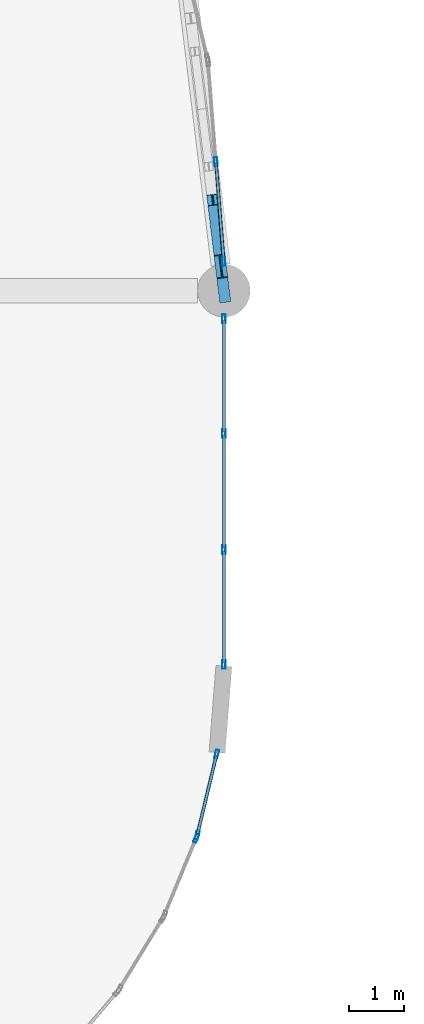
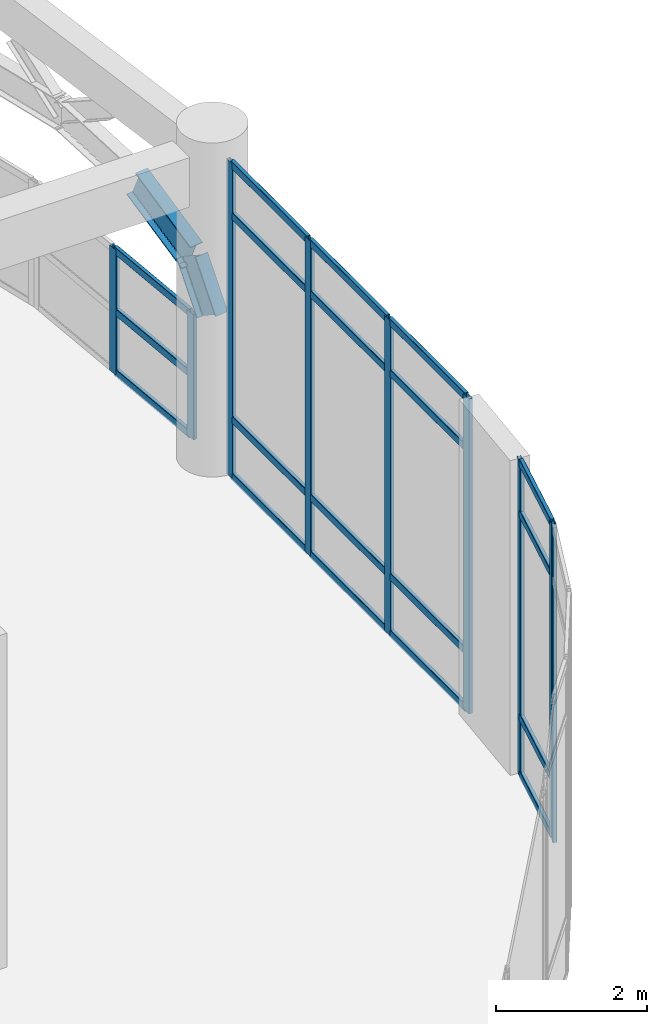
# One storey, part 73 of 114: 28 members, 2 beams, 4 elements without a shape of their own.
"""IFC4 building model written with IfcOpenShell, lengths in metres."""

from ifc_helpers import new_model, si_unit, derived_unit, direction, frame, origin, origin_2d, place, context, subcontext, project, spatial, hollow_rectangle, i_section, extrude, material, layer, layer_set, material_profile, profile_set, type_object, element, aggregate, save


model = new_model("IFC4")

# Units and contexts
model_context = context("Model", 3, precision=1e-05, world=origin(), true_north=direction((0.0, 1.0)))
body_context = subcontext(model_context, "Body", "Model", "MODEL_VIEW")
ifc_project = project(units=[si_unit("LENGTHUNIT", "METRE"), si_unit("AREAUNIT", "SQUARE_METRE"), si_unit("VOLUMEUNIT", "CUBIC_METRE"), si_unit("PLANEANGLEUNIT", "RADIAN"), si_unit("MASSUNIT", "GRAM", prefix="KILO"), derived_unit("THERMALTRANSMITTANCEUNIT", [(si_unit("MASSUNIT", "GRAM", prefix="KILO"), 1), (si_unit("TIMEUNIT", "SECOND"), -3), (si_unit("THERMODYNAMICTEMPERATUREUNIT", "KELVIN"), -1)])], contexts=[model_context])

# Site, building, storey
site_placement = place(None, origin())
site = spatial("IfcSite", under=ifc_project, at=site_placement, CompositionType="ELEMENT")
building_placement = place(site_placement, origin())
building = spatial("IfcBuilding", under=site, at=building_placement, Name="Qinzheling Arcade Emporium", CompositionType="ELEMENT")
storey_placement = place(building_placement, frame((0.0, 0.0, 6.0)))
storey = spatial("IfcBuildingStorey", under=building, at=storey_placement, Name="L02", CompositionType="ELEMENT", Elevation=6.0)

# Beams
ifc_material_1 = material(Name="Weathering steel Q355NH", Category="steel")
ifc_material_profile_1 = material_profile(ifc_material_1, i_section(OverallWidth=0.199951171875, OverallDepth=0.5, WebThickness=0.010009765625, FlangeThickness=0.01611328125, FilletRadius=0.01806640625, at=origin_2d()), Name="HN 500x200x10x16", Category="steel")
ifc_profile_set_1 = profile_set([ifc_material_profile_1], Name="Weathering steel Q355NH")
beam_type = type_object("IfcBeamType", Name="Arcade End Arch Rib HN500 Q355NH", PredefinedType="BEAM", material=ifc_profile_set_1)
beam_1_placement = place(storey_placement, frame((147.89990234375, 90.60009765625, 2.2900390625), z_axis=(-0.064298726931, 0.525445705147, 0.84839406213), x_axis=(-0.992595857829, -0.121463834208, 0.0)))
element("IfcBeam", 1, at=beam_1_placement, inside=storey, type_object=beam_type, Name="Curved Arcade Entrance Arch ARC-L02-CV6-B01-C01", PredefinedType="BEAM", context=body_context, shape_type="SweptSolid", body=[
    extrude(i_section(OverallWidth=0.199951171875, OverallDepth=0.5, WebThickness=0.010009765625, FlangeThickness=0.01611328125, FilletRadius=0.01806640625, at=origin_2d()), origin(), (0.0, 0.0, 1.0), 0.839111328125),
])
beam_2_placement = place(storey_placement, frame((147.845947265625, 91.041015625, 3.001953125), z_axis=(-0.11056405526, 0.911876121308, 0.395294231013), x_axis=(-0.992729409614, -0.120367434499, 0.0)))
element("IfcBeam", 2, at=beam_2_placement, inside=storey, type_object=beam_type, Name="Curved Arcade Entrance Arch ARC-L02-CV6-B01-C02", PredefinedType="BEAM", context=body_context, shape_type="SweptSolid", body=[
    extrude(i_section(OverallWidth=0.199951171875, OverallDepth=0.5, WebThickness=0.010009765625, FlangeThickness=0.01611328125, FilletRadius=0.01806640625, at=origin_2d()), origin(), (0.0, 0.0, 1.0), 1.320556640625),
])

# Curtain wall, members
ifc_material_2 = material(Name="Anodised aluminium and solar-control double glazing", Category="aluminium")
ifc_layer_1 = layer(ifc_material_2, 0.159912109375, Name="Anodised aluminium and solar-control double glazing", Category="aluminium")
ifc_layer_set_1 = layer_set([ifc_layer_1], Name="Anodised aluminium and solar-control double glazing")
curtain_wall_type_1 = type_object("IfcCurtainWallType", Name="Curved Ribbon Sales Curtain Wall", PredefinedType="NOTDEFINED", material=ifc_layer_set_1)
curtain_wall_1_placement = place(storey_placement, origin())
curtain_wall_1 = element("IfcCurtainWall", 3, at=curtain_wall_1_placement, inside=storey, type_object=curtain_wall_type_1, Name="Curtain Wall CW-L02-112", PredefinedType="NOTDEFINED")
ifc_material_3 = material(Name="Anodised aluminium 6063-T6", Category="aluminium")
ifc_material_profile_2 = material_profile(ifc_material_3, hollow_rectangle(XDim=0.06005859375, YDim=0.159912109375, WallThickness=0.00390625, InnerFilletRadius=0.00390625, OuterFilletRadius=0.008056640625, at=origin_2d()), Name="RHS 160x60x4", Category="aluminium")
ifc_profile_set_2 = profile_set([ifc_material_profile_2], Name="Anodised aluminium 6063-T6")
member_type_1 = type_object("IfcMemberType", Name="Curtain Wall Mullion RHS160x60", PredefinedType="MULLION", material=ifc_profile_set_2)
member_1_placement = place(storey_placement, frame((147.755615234375, 92.93798828125, 0.0), z_axis=(0.0, 0.0, 1.0), x_axis=(0.996923852542, 0.078376222365, 0.0)))
member_1 = element("IfcMember", 4, at=member_1_placement, type_object=member_type_1, Name="CW02 mullion 2", PredefinedType="MULLION", context=body_context, shape_type="SweptSolid", body=[
    extrude(hollow_rectangle(XDim=0.06005859375, YDim=0.159912109375, WallThickness=0.00390625, InnerFilletRadius=0.00390625, OuterFilletRadius=0.008056640625, at=origin_2d()), origin(), (0.0, 0.0, 1.0), 2.02490234375),
])
member_2_placement = place(storey_placement, frame((147.897705078125, 91.1298828125, 0.0), z_axis=(0.0, 0.0, 1.0), x_axis=(0.996923852542, 0.078376222365, 0.0)))
member_2 = element("IfcMember", 5, at=member_2_placement, type_object=member_type_1, Name="CW02 mullion 3", PredefinedType="MULLION", context=body_context, shape_type="SweptSolid", body=[
    extrude(hollow_rectangle(XDim=0.06005859375, YDim=0.159912109375, WallThickness=0.00390625, InnerFilletRadius=0.00390625, OuterFilletRadius=0.008056640625, at=origin_2d()), origin(), (0.0, 0.0, 1.0), 2.02490234375),
])

ifc_layer_2 = layer(ifc_material_2, 0.159912109375, Name="Anodised aluminium and solar-control double glazing", Category="aluminium")
ifc_layer_set_2 = layer_set([ifc_layer_2], Name="Anodised aluminium and solar-control double glazing")
curtain_wall_type_2 = type_object("IfcCurtainWallType", Name="Arcade Portal Glazed Curtain Wall", PredefinedType="NOTDEFINED", material=ifc_layer_set_2)
curtain_wall_2_placement = place(storey_placement, origin())
curtain_wall_2 = element("IfcCurtainWall", 6, at=curtain_wall_2_placement, inside=storey, type_object=curtain_wall_type_2, Name="Curtain Wall CW-L02-113", PredefinedType="NOTDEFINED")
member_3_placement = place(storey_placement, frame((147.89990234375, 90.093017578125, 0.0), z_axis=(0.0, 0.0, 1.0), x_axis=(1.0, 0.0, 0.0)))
member_3 = element("IfcMember", 7, at=member_3_placement, type_object=member_type_1, Name="CW05 mullion 1", PredefinedType="MULLION", context=body_context, shape_type="SweptSolid", body=[
    extrude(hollow_rectangle(XDim=0.06005859375, YDim=0.159912109375, WallThickness=0.00390625, InnerFilletRadius=0.00390625, OuterFilletRadius=0.008056640625, at=origin_2d()), origin(), (0.0, 0.0, 1.0), 5.090087890625),
])
member_4_placement = place(storey_placement, frame((147.89990234375, 88.015380859375, 0.0), z_axis=(0.0, 0.0, 1.0), x_axis=(1.0, 0.0, 0.0)))
member_4 = element("IfcMember", 8, at=member_4_placement, type_object=member_type_1, Name="CW05 mullion 2", PredefinedType="MULLION", context=body_context, shape_type="SweptSolid", body=[
    extrude(hollow_rectangle(XDim=0.06005859375, YDim=0.159912109375, WallThickness=0.00390625, InnerFilletRadius=0.00390625, OuterFilletRadius=0.008056640625, at=origin_2d()), origin(), (0.0, 0.0, 1.0), 5.090087890625),
])
member_5_placement = place(storey_placement, frame((147.89990234375, 85.90771484375, 0.0), z_axis=(0.0, 0.0, 1.0), x_axis=(1.0, 0.0, 0.0)))
member_5 = element("IfcMember", 9, at=member_5_placement, type_object=member_type_1, Name="CW05 mullion 3", PredefinedType="MULLION", context=body_context, shape_type="SweptSolid", body=[
    extrude(hollow_rectangle(XDim=0.06005859375, YDim=0.159912109375, WallThickness=0.00390625, InnerFilletRadius=0.00390625, OuterFilletRadius=0.008056640625, at=origin_2d()), origin(), (0.0, 0.0, 1.0), 5.090087890625),
])
member_6_placement = place(storey_placement, frame((147.89990234375, 83.830078125, 0.0), z_axis=(0.0, 0.0, 1.0), x_axis=(1.0, 0.0, 0.0)))
member_6 = element("IfcMember", 10, at=member_6_placement, type_object=member_type_1, Name="CW05 mullion 4", PredefinedType="MULLION", context=body_context, shape_type="SweptSolid", body=[
    extrude(hollow_rectangle(XDim=0.06005859375, YDim=0.159912109375, WallThickness=0.00390625, InnerFilletRadius=0.00390625, OuterFilletRadius=0.008056640625, at=origin_2d()), origin(), (0.0, 0.0, 1.0), 5.090087890625),
])

curtain_wall_3_placement = place(storey_placement, origin())
curtain_wall_3 = element("IfcCurtainWall", 11, at=curtain_wall_3_placement, inside=storey, type_object=curtain_wall_type_1, Name="Curtain Wall CW-L02-114", PredefinedType="NOTDEFINED")
member_7_placement = place(storey_placement, frame((147.77001953125, 82.206787109375, 0.0), z_axis=(0.0, 0.0, 1.0), x_axis=(0.972421996964, -0.233228342659, 0.0)))
member_7 = element("IfcMember", 12, at=member_7_placement, type_object=member_type_1, Name="CW02 mullion 1", PredefinedType="MULLION", context=body_context, shape_type="SweptSolid", body=[
    extrude(hollow_rectangle(XDim=0.06005859375, YDim=0.159912109375, WallThickness=0.00390625, InnerFilletRadius=0.00390625, OuterFilletRadius=0.008056640625, at=origin_2d()), origin(), (0.0, 0.0, 1.0), 5.090087890625),
])
member_8_placement = place(storey_placement, frame((147.41796875, 80.7392578125, 0.0), z_axis=(0.0, 0.0, 1.0), x_axis=(0.972421996964, -0.233228342659, 0.0)))
member_8 = element("IfcMember", 13, at=member_8_placement, type_object=member_type_1, Name="CW02 mullion 2", PredefinedType="MULLION", context=body_context, shape_type="SweptSolid", body=[
    extrude(hollow_rectangle(XDim=0.06005859375, YDim=0.159912109375, WallThickness=0.00390625, InnerFilletRadius=0.00390625, OuterFilletRadius=0.008056640625, at=origin_2d()), origin(), (0.0, 0.0, 1.0), 5.090087890625),
])

# Curtain wall, member
curtain_wall_4_placement = place(storey_placement, origin())
curtain_wall_4 = element("IfcCurtainWall", 14, at=curtain_wall_4_placement, inside=storey, type_object=curtain_wall_type_1, Name="Curtain Wall CW-L02-115", PredefinedType="NOTDEFINED")
member_9_placement = place(storey_placement, frame((147.3994140625, 80.682373046875, 0.0), z_axis=(0.0, 0.0, 1.0), x_axis=(0.923791586038, -0.382895684967, 0.0)))
member_9 = element("IfcMember", 15, at=member_9_placement, type_object=member_type_1, Name="CW02 mullion 1", PredefinedType="MULLION", context=body_context, shape_type="SweptSolid", body=[
    extrude(hollow_rectangle(XDim=0.06005859375, YDim=0.159912109375, WallThickness=0.00390625, InnerFilletRadius=0.00390625, OuterFilletRadius=0.008056640625, at=origin_2d()), origin(), (0.0, 0.0, 1.0), 5.090087890625),
])
aggregate(curtain_wall_4, [member_9])

# Member
ifc_material_profile_3 = material_profile(ifc_material_3, hollow_rectangle(XDim=0.06005859375, YDim=0.1201171875, WallThickness=0.00390625, InnerFilletRadius=0.00390625, OuterFilletRadius=0.008056640625, at=origin_2d()), Name="RHS 120x60x4", Category="aluminium")
ifc_profile_set_3 = profile_set([ifc_material_profile_3], Name="Anodised aluminium 6063-T6")
member_type_2 = type_object("IfcMemberType", Name="Curtain Wall Transom RHS120x60", PredefinedType="USERDEFINED", material=ifc_profile_set_3)
member_10_placement = place(storey_placement, frame((147.7578125, 92.908203125, 0.030029296875), z_axis=(0.078378443051, -0.996923677954, 0.0), x_axis=(0.996923677954, 0.078378443051, 0.0)))
member_10 = element("IfcMember", 16, at=member_10_placement, type_object=member_type_2, Name="CW02 transom 2.1", ObjectType="TRANSOM", PredefinedType="USERDEFINED", context=body_context, shape_type="SweptSolid", body=[
    extrude(hollow_rectangle(XDim=0.06005859375, YDim=0.1201171875, WallThickness=0.00390625, InnerFilletRadius=0.00390625, OuterFilletRadius=0.008056640625, at=origin_2d()), origin(), (0.0, 0.0, 1.0), 1.753662109375),
])

member_11_placement = place(storey_placement, frame((147.7578125, 92.908203125, 1.012939453125), z_axis=(0.078378443051, -0.996923677954, 0.0), x_axis=(0.996923677954, 0.078378443051, 0.0)))
member_11 = element("IfcMember", 17, at=member_11_placement, type_object=member_type_2, Name="CW02 transom 2.2", ObjectType="TRANSOM", PredefinedType="USERDEFINED", context=body_context, shape_type="SweptSolid", body=[
    extrude(hollow_rectangle(XDim=0.06005859375, YDim=0.1201171875, WallThickness=0.00390625, InnerFilletRadius=0.00390625, OuterFilletRadius=0.008056640625, at=origin_2d()), origin(), (0.0, 0.0, 1.0), 1.753662109375),
])

member_12_placement = place(storey_placement, frame((147.7578125, 92.908203125, 1.9951171875), z_axis=(0.078378443051, -0.996923677954, 0.0), x_axis=(0.996923677954, 0.078378443051, 0.0)))
member_12 = element("IfcMember", 18, at=member_12_placement, type_object=member_type_2, Name="CW02 transom 2.3", ObjectType="TRANSOM", PredefinedType="USERDEFINED", context=body_context, shape_type="SweptSolid", body=[
    extrude(hollow_rectangle(XDim=0.06005859375, YDim=0.1201171875, WallThickness=0.00390625, InnerFilletRadius=0.00390625, OuterFilletRadius=0.008056640625, at=origin_2d()), origin(), (0.0, 0.0, 1.0), 1.753662109375),
])

aggregate(curtain_wall_1, [member_1, member_2, member_10, member_11, member_12])

member_13_placement = place(storey_placement, frame((147.89990234375, 90.06298828125, 0.030029296875), z_axis=(0.0, -1.0, 0.0), x_axis=(1.0, 0.0, 0.0)))
member_13 = element("IfcMember", 19, at=member_13_placement, type_object=member_type_2, Name="CW05 transom 1.1", ObjectType="TRANSOM", PredefinedType="USERDEFINED", context=body_context, shape_type="SweptSolid", body=[
    extrude(hollow_rectangle(XDim=0.06005859375, YDim=0.1201171875, WallThickness=0.00390625, InnerFilletRadius=0.00390625, OuterFilletRadius=0.008056640625, at=origin_2d()), origin(), (0.0, 0.0, 1.0), 2.017578125),
])

member_14_placement = place(storey_placement, frame((147.89990234375, 90.06298828125, 0.949951171875), z_axis=(0.0, -1.0, 0.0), x_axis=(1.0, 0.0, 0.0)))
member_14 = element("IfcMember", 20, at=member_14_placement, type_object=member_type_2, Name="CW05 transom 1.2", ObjectType="TRANSOM", PredefinedType="USERDEFINED", context=body_context, shape_type="SweptSolid", body=[
    extrude(hollow_rectangle(XDim=0.06005859375, YDim=0.1201171875, WallThickness=0.00390625, InnerFilletRadius=0.00390625, OuterFilletRadius=0.008056640625, at=origin_2d()), origin(), (0.0, 0.0, 1.0), 2.017578125),
])

member_15_placement = place(storey_placement, frame((147.89990234375, 90.06298828125, 4.239990234375), z_axis=(0.0, -1.0, 0.0), x_axis=(1.0, 0.0, 0.0)))
member_15 = element("IfcMember", 21, at=member_15_placement, type_object=member_type_2, Name="CW05 transom 1.3", ObjectType="TRANSOM", PredefinedType="USERDEFINED", context=body_context, shape_type="SweptSolid", body=[
    extrude(hollow_rectangle(XDim=0.06005859375, YDim=0.1201171875, WallThickness=0.00390625, InnerFilletRadius=0.00390625, OuterFilletRadius=0.008056640625, at=origin_2d()), origin(), (0.0, 0.0, 1.0), 2.017578125),
])

member_16_placement = place(storey_placement, frame((147.89990234375, 90.06298828125, 5.06005859375), z_axis=(0.0, -1.0, 0.0), x_axis=(1.0, 0.0, 0.0)))
member_16 = element("IfcMember", 22, at=member_16_placement, type_object=member_type_2, Name="CW05 transom 1.4", ObjectType="TRANSOM", PredefinedType="USERDEFINED", context=body_context, shape_type="SweptSolid", body=[
    extrude(hollow_rectangle(XDim=0.06005859375, YDim=0.1201171875, WallThickness=0.00390625, InnerFilletRadius=0.00390625, OuterFilletRadius=0.008056640625, at=origin_2d()), origin(), (0.0, 0.0, 1.0), 2.017578125),
])

member_17_placement = place(storey_placement, frame((147.89990234375, 87.9853515625, 0.030029296875), z_axis=(0.0, -1.0, 0.0), x_axis=(1.0, 0.0, 0.0)))
member_17 = element("IfcMember", 23, at=member_17_placement, type_object=member_type_2, Name="CW05 transom 2.1", ObjectType="TRANSOM", PredefinedType="USERDEFINED", context=body_context, shape_type="SweptSolid", body=[
    extrude(hollow_rectangle(XDim=0.06005859375, YDim=0.1201171875, WallThickness=0.00390625, InnerFilletRadius=0.00390625, OuterFilletRadius=0.008056640625, at=origin_2d()), origin(), (0.0, 0.0, 1.0), 2.047607421875),
])

member_18_placement = place(storey_placement, frame((147.89990234375, 87.9853515625, 0.949951171875), z_axis=(0.0, -1.0, 0.0), x_axis=(1.0, 0.0, 0.0)))
member_18 = element("IfcMember", 24, at=member_18_placement, type_object=member_type_2, Name="CW05 transom 2.2", ObjectType="TRANSOM", PredefinedType="USERDEFINED", context=body_context, shape_type="SweptSolid", body=[
    extrude(hollow_rectangle(XDim=0.06005859375, YDim=0.1201171875, WallThickness=0.00390625, InnerFilletRadius=0.00390625, OuterFilletRadius=0.008056640625, at=origin_2d()), origin(), (0.0, 0.0, 1.0), 2.047607421875),
])

member_19_placement = place(storey_placement, frame((147.89990234375, 87.9853515625, 4.239990234375), z_axis=(0.0, -1.0, 0.0), x_axis=(1.0, 0.0, 0.0)))
member_19 = element("IfcMember", 25, at=member_19_placement, type_object=member_type_2, Name="CW05 transom 2.3", ObjectType="TRANSOM", PredefinedType="USERDEFINED", context=body_context, shape_type="SweptSolid", body=[
    extrude(hollow_rectangle(XDim=0.06005859375, YDim=0.1201171875, WallThickness=0.00390625, InnerFilletRadius=0.00390625, OuterFilletRadius=0.008056640625, at=origin_2d()), origin(), (0.0, 0.0, 1.0), 2.047607421875),
])

member_20_placement = place(storey_placement, frame((147.89990234375, 87.9853515625, 5.06005859375), z_axis=(0.0, -1.0, 0.0), x_axis=(1.0, 0.0, 0.0)))
member_20 = element("IfcMember", 26, at=member_20_placement, type_object=member_type_2, Name="CW05 transom 2.4", ObjectType="TRANSOM", PredefinedType="USERDEFINED", context=body_context, shape_type="SweptSolid", body=[
    extrude(hollow_rectangle(XDim=0.06005859375, YDim=0.1201171875, WallThickness=0.00390625, InnerFilletRadius=0.00390625, OuterFilletRadius=0.008056640625, at=origin_2d()), origin(), (0.0, 0.0, 1.0), 2.047607421875),
])

member_21_placement = place(storey_placement, frame((147.89990234375, 85.877685546875, 0.030029296875), z_axis=(0.0, -1.0, 0.0), x_axis=(1.0, 0.0, 0.0)))
member_21 = element("IfcMember", 27, at=member_21_placement, type_object=member_type_2, Name="CW05 transom 3.1", ObjectType="TRANSOM", PredefinedType="USERDEFINED", context=body_context, shape_type="SweptSolid", body=[
    extrude(hollow_rectangle(XDim=0.06005859375, YDim=0.1201171875, WallThickness=0.00390625, InnerFilletRadius=0.00390625, OuterFilletRadius=0.008056640625, at=origin_2d()), origin(), (0.0, 0.0, 1.0), 2.017578125),
])

member_22_placement = place(storey_placement, frame((147.89990234375, 85.877685546875, 0.949951171875), z_axis=(0.0, -1.0, 0.0), x_axis=(1.0, 0.0, 0.0)))
member_22 = element("IfcMember", 28, at=member_22_placement, type_object=member_type_2, Name="CW05 transom 3.2", ObjectType="TRANSOM", PredefinedType="USERDEFINED", context=body_context, shape_type="SweptSolid", body=[
    extrude(hollow_rectangle(XDim=0.06005859375, YDim=0.1201171875, WallThickness=0.00390625, InnerFilletRadius=0.00390625, OuterFilletRadius=0.008056640625, at=origin_2d()), origin(), (0.0, 0.0, 1.0), 2.017578125),
])

member_23_placement = place(storey_placement, frame((147.89990234375, 85.877685546875, 4.239990234375), z_axis=(0.0, -1.0, 0.0), x_axis=(1.0, 0.0, 0.0)))
member_23 = element("IfcMember", 29, at=member_23_placement, type_object=member_type_2, Name="CW05 transom 3.3", ObjectType="TRANSOM", PredefinedType="USERDEFINED", context=body_context, shape_type="SweptSolid", body=[
    extrude(hollow_rectangle(XDim=0.06005859375, YDim=0.1201171875, WallThickness=0.00390625, InnerFilletRadius=0.00390625, OuterFilletRadius=0.008056640625, at=origin_2d()), origin(), (0.0, 0.0, 1.0), 2.017578125),
])

member_24_placement = place(storey_placement, frame((147.89990234375, 85.877685546875, 5.06005859375), z_axis=(0.0, -1.0, 0.0), x_axis=(1.0, 0.0, 0.0)))
member_24 = element("IfcMember", 30, at=member_24_placement, type_object=member_type_2, Name="CW05 transom 3.4", ObjectType="TRANSOM", PredefinedType="USERDEFINED", context=body_context, shape_type="SweptSolid", body=[
    extrude(hollow_rectangle(XDim=0.06005859375, YDim=0.1201171875, WallThickness=0.00390625, InnerFilletRadius=0.00390625, OuterFilletRadius=0.008056640625, at=origin_2d()), origin(), (0.0, 0.0, 1.0), 2.017578125),
])

aggregate(curtain_wall_2, [member_3, member_4, member_5, member_6, member_13, member_14, member_15, member_16, member_17, member_18, member_19, member_20, member_21, member_22, member_23, member_24])

member_25_placement = place(storey_placement, frame((147.762939453125, 82.177734375, 0.030029296875), z_axis=(-0.233130850252, -0.972445374641, 0.0), x_axis=(0.972445374641, -0.233130850252, 0.0)))
member_25 = element("IfcMember", 31, at=member_25_placement, type_object=member_type_2, Name="CW02 transom 1.1", ObjectType="TRANSOM", PredefinedType="USERDEFINED", context=body_context, shape_type="SweptSolid", body=[
    extrude(hollow_rectangle(XDim=0.06005859375, YDim=0.1201171875, WallThickness=0.00390625, InnerFilletRadius=0.00390625, OuterFilletRadius=0.008056640625, at=origin_2d()), origin(), (0.0, 0.0, 1.0), 1.449462890625),
])

member_26_placement = place(storey_placement, frame((147.762939453125, 82.177734375, 0.949951171875), z_axis=(-0.233130850252, -0.972445374641, 0.0), x_axis=(0.972445374641, -0.233130850252, 0.0)))
member_26 = element("IfcMember", 32, at=member_26_placement, type_object=member_type_2, Name="CW02 transom 1.2", ObjectType="TRANSOM", PredefinedType="USERDEFINED", context=body_context, shape_type="SweptSolid", body=[
    extrude(hollow_rectangle(XDim=0.06005859375, YDim=0.1201171875, WallThickness=0.00390625, InnerFilletRadius=0.00390625, OuterFilletRadius=0.008056640625, at=origin_2d()), origin(), (0.0, 0.0, 1.0), 1.449462890625),
])

member_27_placement = place(storey_placement, frame((147.762939453125, 82.177734375, 4.239990234375), z_axis=(-0.233130850252, -0.972445374641, 0.0), x_axis=(0.972445374641, -0.233130850252, 0.0)))
member_27 = element("IfcMember", 33, at=member_27_placement, type_object=member_type_2, Name="CW02 transom 1.3", ObjectType="TRANSOM", PredefinedType="USERDEFINED", context=body_context, shape_type="SweptSolid", body=[
    extrude(hollow_rectangle(XDim=0.06005859375, YDim=0.1201171875, WallThickness=0.00390625, InnerFilletRadius=0.00390625, OuterFilletRadius=0.008056640625, at=origin_2d()), origin(), (0.0, 0.0, 1.0), 1.449462890625),
])

member_28_placement = place(storey_placement, frame((147.762939453125, 82.177734375, 5.06005859375), z_axis=(-0.233130850252, -0.972445374641, 0.0), x_axis=(0.972445374641, -0.233130850252, 0.0)))
member_28 = element("IfcMember", 34, at=member_28_placement, type_object=member_type_2, Name="CW02 transom 1.4", ObjectType="TRANSOM", PredefinedType="USERDEFINED", context=body_context, shape_type="SweptSolid", body=[
    extrude(hollow_rectangle(XDim=0.06005859375, YDim=0.1201171875, WallThickness=0.00390625, InnerFilletRadius=0.00390625, OuterFilletRadius=0.008056640625, at=origin_2d()), origin(), (0.0, 0.0, 1.0), 1.449462890625),
])

aggregate(curtain_wall_3, [member_7, member_8, member_25, member_26, member_27, member_28])

save(model, "model.ifc")
